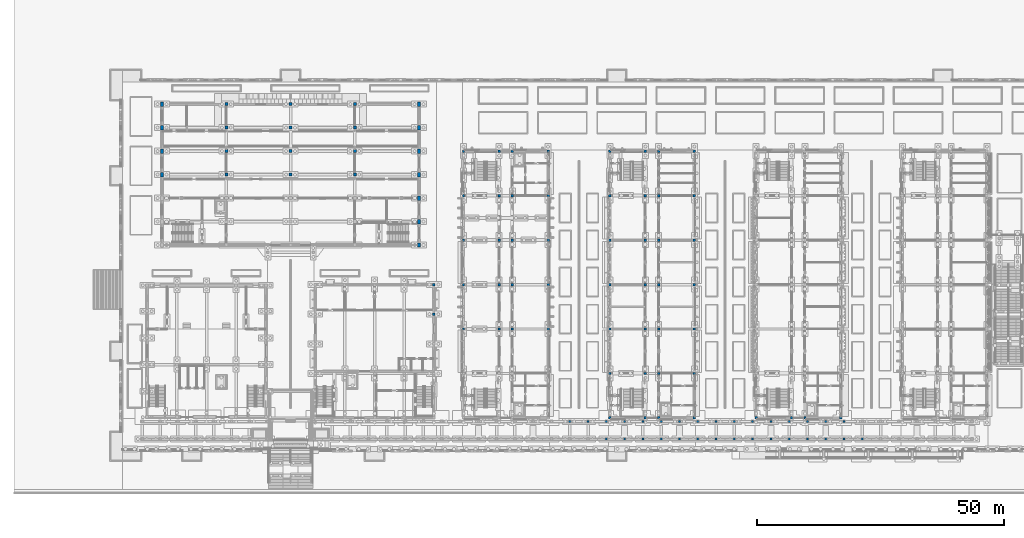
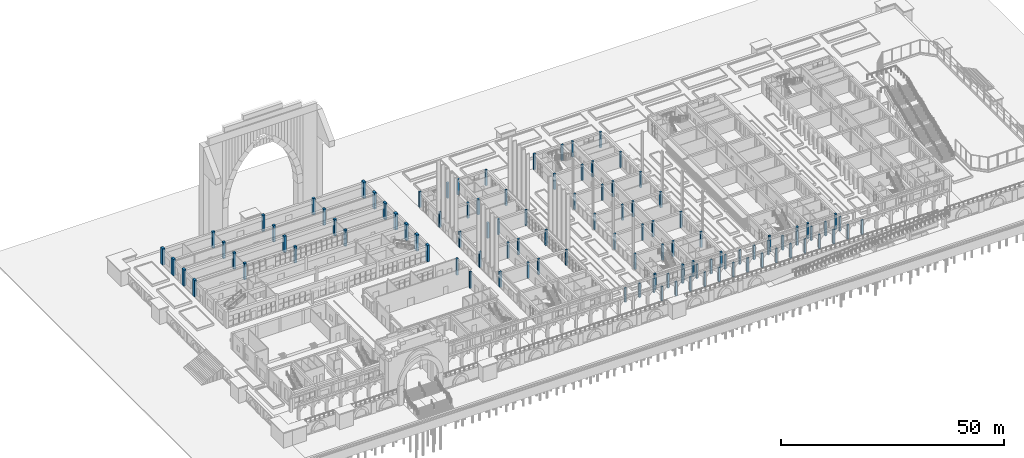
# One storey, part 8 of 161: 108 columns.
"""IFC4 building model written with IfcOpenShell, lengths in metres."""

from ifc_helpers import new_model, si_unit, direction, frame, origin, origin_2d, place, context, subcontext, project, spatial, rectangle, extrude, material, material_profile, profile_set, type_object, element, save


model = new_model("IFC4")

# Units and contexts
model_context = context("Model", 3, precision=1e-05, world=origin(), true_north=direction((0.0, 1.0)))
body_context = subcontext(model_context, "Body", "Model", "MODEL_VIEW")
ifc_project = project(units=[si_unit("LENGTHUNIT", "METRE"), si_unit("AREAUNIT", "SQUARE_METRE"), si_unit("VOLUMEUNIT", "CUBIC_METRE"), si_unit("PLANEANGLEUNIT", "RADIAN"), si_unit("MASSUNIT", "GRAM", prefix="KILO")], contexts=[model_context])

# Site, building, storey
site_placement = place(None, origin())
site = spatial("IfcSite", under=ifc_project, at=site_placement, CompositionType="ELEMENT")
building_placement = place(site_placement, origin())
building = spatial("IfcBuilding", under=site, at=building_placement, Name="Elbe Cascade School", CompositionType="ELEMENT")
storey_placement = place(building_placement, origin())
storey = spatial("IfcBuildingStorey", under=building, at=storey_placement, Name="L00", CompositionType="ELEMENT", Elevation=0.0)

# Columns
ifc_material_1 = material(Name="Concrete C30/37", Category="concrete")
ifc_material_profile_1 = material_profile(ifc_material_1, rectangle(XDim=0.5, YDim=0.5, at=origin_2d()), Name="RC 500x500")
ifc_profile_set_1 = profile_set([ifc_material_profile_1], Name="Concrete C30/37")
column_type_1 = type_object("IfcColumnType", Name="Assembly hall column RC 500x500", PredefinedType="COLUMN", material=ifc_profile_set_1)
for number, where, z_axis, x_axis, name in (
    (1, (63.0, 27.0, 0.0), (0.0, 0.0, 1.0), (1.0, 0.0, 0.0), "Assembly hall column RC 500x500 C7"),
    (2, (63.0, 33.0, 0.0), (0.0, 0.0, 1.0), (1.0, 0.0, 0.0), "Assembly hall column RC 500x500 C7"),
):
    element("IfcColumn", number, at=place(storey_placement, frame(where, z_axis=z_axis, x_axis=x_axis)), inside=storey, type_object=column_type_1, Name=name, PredefinedType="COLUMN", context=body_context, shape_type="SweptSolid", body=[
        extrude(rectangle(XDim=0.5, YDim=0.5, at=origin_2d()), origin(), (0.0, 0.0, 1.0), 4.5),
    ])
ifc_material_2 = material(Name="Concrete C35/45", Category="concrete")
ifc_material_profile_2 = material_profile(ifc_material_2, rectangle(XDim=0.449951171875, YDim=0.449951171875, at=origin_2d()), Name="RC 450x450")
ifc_profile_set_2 = profile_set([ifc_material_profile_2], Name="Concrete C35/45")
column_type_2 = type_object("IfcColumnType", Name="Colonnade column RC 450x450", PredefinedType="COLUMN", material=ifc_profile_set_2)
for number, where, z_axis, x_axis, name in (
    (3, (97.89990234375, 1.72509765625, -0.300048828125), (0.0, 0.0, 1.0), (1.0, 0.0, 0.0), "Colonnade column F25"),
    (4, (101.60009765625, 1.72509765625, -0.300048828125), (0.0, 0.0, 1.0), (1.0, 0.0, 0.0), "Colonnade column F26"),
    (5, (105.300048828125, 1.72509765625, -0.300048828125), (0.0, 0.0, 1.0), (1.0, 0.0, 0.0), "Colonnade column F27"),
    (6, (109.0, 1.72509765625, -0.300048828125), (0.0, 0.0, 1.0), (1.0, 0.0, 0.0), "Colonnade column F28"),
    (7, (112.699951171875, 1.72509765625, -0.300048828125), (0.0, 0.0, 1.0), (1.0, 0.0, 0.0), "Colonnade column F29"),
    (8, (116.39990234375, 1.72509765625, -0.300048828125), (0.0, 0.0, 1.0), (1.0, 0.0, 0.0), "Colonnade column F30"),
    (9, (120.10009765625, 1.72509765625, -0.300048828125), (0.0, 0.0, 1.0), (1.0, 0.0, 0.0), "Colonnade column F31"),
    (10, (123.800048828125, 1.72509765625, -0.300048828125), (0.0, 0.0, 1.0), (1.0, 0.0, 0.0), "Colonnade column F32"),
    (11, (127.5, 1.72509765625, -0.300048828125), (0.0, 0.0, 1.0), (1.0, 0.0, 0.0), "Colonnade column F33"),
    (12, (131.199951171875, 1.72509765625, -0.300048828125), (0.0, 0.0, 1.0), (1.0, 0.0, 0.0), "Colonnade column F34"),
    (13, (134.89990234375, 1.72509765625, -0.300048828125), (0.0, 0.0, 1.0), (1.0, 0.0, 0.0), "Colonnade column F35"),
    (14, (138.60009765625, 1.72509765625, -0.300048828125), (0.0, 0.0, 1.0), (1.0, 0.0, 0.0), "Colonnade column F36"),
    (15, (142.300048828125, 1.72509765625, -0.300048828125), (0.0, 0.0, 1.0), (1.0, 0.0, 0.0), "Colonnade column F37"),
    (16, (146.0, 1.72509765625, -0.300048828125), (0.0, 0.0, 1.0), (1.0, 0.0, 0.0), "Colonnade column F38"),
    (17, (149.699951171875, 1.72509765625, -0.300048828125), (0.0, 0.0, 1.0), (1.0, 0.0, 0.0), "Colonnade column F39"),
    (18, (90.5, 5.27490234375, -0.300048828125), (0.0, 0.0, 1.0), (1.0, 0.0, 0.0), "Colonnade column R23"),
    (19, (94.199951171875, 5.27490234375, -0.300048828125), (0.0, 0.0, 1.0), (1.0, 0.0, 0.0), "Colonnade column R24"),
    (20, (97.89990234375, 5.27490234375, -0.300048828125), (0.0, 0.0, 1.0), (1.0, 0.0, 0.0), "Colonnade column R25"),
    (21, (101.60009765625, 5.27490234375, -0.300048828125), (0.0, 0.0, 1.0), (1.0, 0.0, 0.0), "Colonnade column R26"),
    (22, (105.300048828125, 5.27490234375, -0.300048828125), (0.0, 0.0, 1.0), (1.0, 0.0, 0.0), "Colonnade column R27"),
    (23, (109.0, 5.27490234375, -0.300048828125), (0.0, 0.0, 1.0), (1.0, 0.0, 0.0), "Colonnade column R28"),
    (24, (112.699951171875, 5.27490234375, -0.300048828125), (0.0, 0.0, 1.0), (1.0, 0.0, 0.0), "Colonnade column R29"),
    (25, (116.39990234375, 5.27490234375, -0.300048828125), (0.0, 0.0, 1.0), (1.0, 0.0, 0.0), "Colonnade column R30"),
    (26, (120.10009765625, 5.27490234375, -0.300048828125), (0.0, 0.0, 1.0), (1.0, 0.0, 0.0), "Colonnade column R31"),
    (27, (123.800048828125, 5.27490234375, -0.300048828125), (0.0, 0.0, 1.0), (1.0, 0.0, 0.0), "Colonnade column R32"),
    (28, (127.5, 5.27490234375, -0.300048828125), (0.0, 0.0, 1.0), (1.0, 0.0, 0.0), "Colonnade column R33"),
    (29, (131.199951171875, 5.27490234375, -0.300048828125), (0.0, 0.0, 1.0), (1.0, 0.0, 0.0), "Colonnade column R34"),
    (30, (134.89990234375, 5.27490234375, -0.300048828125), (0.0, 0.0, 1.0), (1.0, 0.0, 0.0), "Colonnade column R35"),
    (31, (138.60009765625, 5.27490234375, -0.300048828125), (0.0, 0.0, 1.0), (1.0, 0.0, 0.0), "Colonnade column R36"),
    (32, (142.300048828125, 5.27490234375, -0.300048828125), (0.0, 0.0, 1.0), (1.0, 0.0, 0.0), "Colonnade column R37"),
    (33, (146.0, 5.27490234375, -0.300048828125), (0.0, 0.0, 1.0), (1.0, 0.0, 0.0), "Colonnade column R38"),
):
    element("IfcColumn", number, at=place(storey_placement, frame(where, z_axis=z_axis, x_axis=x_axis)), inside=storey, type_object=column_type_2, Name=name, PredefinedType="COLUMN", context=body_context, shape_type="SweptSolid", body=[
        extrude(rectangle(XDim=0.449951171875, YDim=0.449951171875, at=origin_2d()), origin(), (0.0, 0.0, 1.0), 3.949951171875),
    ])
ifc_material_3 = material(Name="Concrete C30/37", Category="concrete")
ifc_material_profile_3 = material_profile(ifc_material_3, rectangle(XDim=0.60009765625, YDim=0.60009765625, at=origin_2d()), Name="RC 600x600")
ifc_profile_set_3 = profile_set([ifc_material_profile_3], Name="Concrete C30/37")
column_type_3 = type_object("IfcColumnType", Name="Hall base column RC 600x600", PredefinedType="COLUMN", material=ifc_profile_set_3)
for number, where, z_axis, x_axis, name in (
    (34, (21.0, 55.25, 0.0), (0.0, 0.0, 1.0), (1.0, 0.0, 0.0), "Base column 21-4"),
    (35, (21.0, 60.0, 0.0), (0.0, 0.0, 1.0), (1.0, 0.0, 0.0), "Base column 21-5"),
    (36, (21.0, 64.75, 0.0), (0.0, 0.0, 1.0), (1.0, 0.0, 0.0), "Base column 21-6"),
    (37, (21.0, 69.5, 0.0), (0.0, 0.0, 1.0), (1.0, 0.0, 0.0), "Base column 21-7"),
    (38, (34.0, 55.25, 0.0), (0.0, 0.0, 1.0), (1.0, 0.0, 0.0), "Base column 34-4"),
    (39, (34.0, 60.0, 0.0), (0.0, 0.0, 1.0), (1.0, 0.0, 0.0), "Base column 34-5"),
    (40, (34.0, 64.75, 0.0), (0.0, 0.0, 1.0), (1.0, 0.0, 0.0), "Base column 34-6"),
    (41, (34.0, 69.5, 0.0), (0.0, 0.0, 1.0), (1.0, 0.0, 0.0), "Base column 34-7"),
    (42, (47.0, 55.25, 0.0), (0.0, 0.0, 1.0), (1.0, 0.0, 0.0), "Base column 47-4"),
    (43, (47.0, 60.0, 0.0), (0.0, 0.0, 1.0), (1.0, 0.0, 0.0), "Base column 47-5"),
    (44, (47.0, 64.75, 0.0), (0.0, 0.0, 1.0), (1.0, 0.0, 0.0), "Base column 47-6"),
    (45, (47.0, 69.5, 0.0), (0.0, 0.0, 1.0), (1.0, 0.0, 0.0), "Base column 47-7"),
):
    element("IfcColumn", number, at=place(storey_placement, frame(where, z_axis=z_axis, x_axis=x_axis)), inside=storey, type_object=column_type_3, Name=name, PredefinedType="COLUMN", context=body_context, shape_type="SweptSolid", body=[
        extrude(rectangle(XDim=0.60009765625, YDim=0.60009765625, at=origin_2d()), origin(), (0.0, 0.0, 1.0), 4.5),
    ])
ifc_material_4 = material(Name="Concrete C30/37", Category="concrete")
ifc_material_profile_4 = material_profile(ifc_material_4, rectangle(XDim=0.60009765625, YDim=0.89990234375, at=origin_2d()), Name="RC 600x900")
ifc_profile_set_4 = profile_set([ifc_material_profile_4], Name="Concrete C30/37")
column_type_4 = type_object("IfcColumnType", Name="Hall pilaster RC 600x900", PredefinedType="COLUMN", material=ifc_profile_set_4)
for number, where, z_axis, x_axis, name in (
    (46, (8.0, 55.25, 0.0), (0.0, 0.0, 1.0), (1.0, 0.0, 0.0), "Pilaster W4"),
    (47, (8.0, 60.0, 0.0), (0.0, 0.0, 1.0), (1.0, 0.0, 0.0), "Pilaster W5"),
    (48, (8.0, 64.75, 0.0), (0.0, 0.0, 1.0), (1.0, 0.0, 0.0), "Pilaster W6"),
    (49, (8.0, 69.5, 0.0), (0.0, 0.0, 1.0), (1.0, 0.0, 0.0), "Pilaster W7"),
    (50, (60.0, 41.0, 0.0), (0.0, 0.0, 1.0), (1.0, 0.0, 0.0), "Pilaster E1"),
    (51, (60.0, 45.75, 0.0), (0.0, 0.0, 1.0), (1.0, 0.0, 0.0), "Pilaster E2"),
    (52, (60.0, 50.5, 0.0), (0.0, 0.0, 1.0), (1.0, 0.0, 0.0), "Pilaster E3"),
    (53, (60.0, 55.25, 0.0), (0.0, 0.0, 1.0), (1.0, 0.0, 0.0), "Pilaster E4"),
    (54, (60.0, 60.0, 0.0), (0.0, 0.0, 1.0), (1.0, 0.0, 0.0), "Pilaster E5"),
    (55, (60.0, 64.75, 0.0), (0.0, 0.0, 1.0), (1.0, 0.0, 0.0), "Pilaster E6"),
    (56, (60.0, 69.5, 0.0), (0.0, 0.0, 1.0), (1.0, 0.0, 0.0), "Pilaster E7"),
):
    element("IfcColumn", number, at=place(storey_placement, frame(where, z_axis=z_axis, x_axis=x_axis)), inside=storey, type_object=column_type_4, Name=name, PredefinedType="COLUMN", context=body_context, shape_type="SweptSolid", body=[
        extrude(rectangle(XDim=0.60009765625, YDim=0.89990234375, at=origin_2d()), origin(), (0.0, 0.0, 1.0), 4.5),
    ])
ifc_material_5 = material(Name="Concrete C30/37", Category="concrete")
ifc_material_profile_5 = material_profile(ifc_material_5, rectangle(XDim=0.5, YDim=0.5, at=origin_2d()), Name="RC 500x500")
ifc_profile_set_5 = profile_set([ifc_material_profile_5], Name="Concrete C30/37")
column_type_5 = type_object("IfcColumnType", Name="RC 500x500 column", PredefinedType="COLUMN", material=ifc_profile_set_5)
for number, where, z_axis, x_axis, name in (
    (57, (69.0, 24.0, 0.0), (0.0, 0.0, 1.0), (1.0, 0.0, 0.0), "RC 500x500 column C1"),
    (58, (69.0, 33.0, 0.0), (0.0, 0.0, 1.0), (1.0, 0.0, 0.0), "RC 500x500 column C1"),
    (59, (69.0, 42.0, 0.0), (0.0, 0.0, 1.0), (1.0, 0.0, 0.0), "RC 500x500 column C1"),
    (60, (69.0, 51.0, 0.0), (0.0, 0.0, 1.0), (1.0, 0.0, 0.0), "RC 500x500 column C1"),
    (61, (69.0, 60.0, 0.0), (0.0, 0.0, 1.0), (1.0, 0.0, 0.0), "RC 500x500 column C1"),
    (62, (76.199951171875, 24.0, 0.0), (0.0, 0.0, 1.0), (1.0, 0.0, 0.0), "RC 500x500 column C1"),
    (63, (76.199951171875, 33.0, 0.0), (0.0, 0.0, 1.0), (1.0, 0.0, 0.0), "RC 500x500 column C1"),
    (64, (76.199951171875, 42.0, 0.0), (0.0, 0.0, 1.0), (1.0, 0.0, 0.0), "RC 500x500 column C1"),
    (65, (76.199951171875, 51.0, 0.0), (0.0, 0.0, 1.0), (1.0, 0.0, 0.0), "RC 500x500 column C1"),
    (66, (76.199951171875, 60.0, 0.0), (0.0, 0.0, 1.0), (1.0, 0.0, 0.0), "RC 500x500 column C1"),
    (67, (78.89990234375, 24.0, 0.0), (0.0, 0.0, 1.0), (1.0, 0.0, 0.0), "RC 500x500 column C1"),
    (68, (78.89990234375, 33.0, 0.0), (0.0, 0.0, 1.0), (1.0, 0.0, 0.0), "RC 500x500 column C1"),
    (69, (78.89990234375, 42.0, 0.0), (0.0, 0.0, 1.0), (1.0, 0.0, 0.0), "RC 500x500 column C1"),
    (70, (78.89990234375, 51.0, 0.0), (0.0, 0.0, 1.0), (1.0, 0.0, 0.0), "RC 500x500 column C1"),
    (71, (78.89990234375, 60.0, 0.0), (0.0, 0.0, 1.0), (1.0, 0.0, 0.0), "RC 500x500 column C1"),
    (72, (86.10009765625, 24.0, 0.0), (0.0, 0.0, 1.0), (1.0, 0.0, 0.0), "RC 500x500 column C1"),
    (73, (86.10009765625, 33.0, 0.0), (0.0, 0.0, 1.0), (1.0, 0.0, 0.0), "RC 500x500 column C1"),
    (74, (86.10009765625, 42.0, 0.0), (0.0, 0.0, 1.0), (1.0, 0.0, 0.0), "RC 500x500 column C1"),
    (75, (86.10009765625, 51.0, 0.0), (0.0, 0.0, 1.0), (1.0, 0.0, 0.0), "RC 500x500 column C1"),
    (76, (86.10009765625, 60.0, 0.0), (0.0, 0.0, 1.0), (1.0, 0.0, 0.0), "RC 500x500 column C1"),
    (77, (98.60009765625, 6.0, 0.0), (0.0, 0.0, 1.0), (1.0, 0.0, 0.0), "RC 500x500 column C1"),
    (78, (98.60009765625, 15.0, 0.0), (0.0, 0.0, 1.0), (1.0, 0.0, 0.0), "RC 500x500 column C1"),
    (79, (98.60009765625, 24.0, 0.0), (0.0, 0.0, 1.0), (1.0, 0.0, 0.0), "RC 500x500 column C1"),
    (80, (98.60009765625, 33.0, 0.0), (0.0, 0.0, 1.0), (1.0, 0.0, 0.0), "RC 500x500 column C1"),
    (81, (98.60009765625, 42.0, 0.0), (0.0, 0.0, 1.0), (1.0, 0.0, 0.0), "RC 500x500 column C1"),
    (82, (98.60009765625, 51.0, 0.0), (0.0, 0.0, 1.0), (1.0, 0.0, 0.0), "RC 500x500 column C1"),
    (83, (98.60009765625, 60.0, 0.0), (0.0, 0.0, 1.0), (1.0, 0.0, 0.0), "RC 500x500 column C1"),
    (84, (105.800048828125, 6.0, 0.0), (0.0, 0.0, 1.0), (1.0, 0.0, 0.0), "RC 500x500 column C1"),
    (85, (105.800048828125, 15.0, 0.0), (0.0, 0.0, 1.0), (1.0, 0.0, 0.0), "RC 500x500 column C1"),
    (86, (105.800048828125, 24.0, 0.0), (0.0, 0.0, 1.0), (1.0, 0.0, 0.0), "RC 500x500 column C1"),
    (87, (105.800048828125, 33.0, 0.0), (0.0, 0.0, 1.0), (1.0, 0.0, 0.0), "RC 500x500 column C1"),
    (88, (105.800048828125, 42.0, 0.0), (0.0, 0.0, 1.0), (1.0, 0.0, 0.0), "RC 500x500 column C1"),
    (89, (105.800048828125, 51.0, 0.0), (0.0, 0.0, 1.0), (1.0, 0.0, 0.0), "RC 500x500 column C1"),
    (90, (105.800048828125, 60.0, 0.0), (0.0, 0.0, 1.0), (1.0, 0.0, 0.0), "RC 500x500 column C1"),
    (91, (108.5, 6.0, 0.0), (0.0, 0.0, 1.0), (1.0, 0.0, 0.0), "RC 500x500 column C1"),
    (92, (108.5, 15.0, 0.0), (0.0, 0.0, 1.0), (1.0, 0.0, 0.0), "RC 500x500 column C1"),
    (93, (108.5, 24.0, 0.0), (0.0, 0.0, 1.0), (1.0, 0.0, 0.0), "RC 500x500 column C1"),
    (94, (108.5, 33.0, 0.0), (0.0, 0.0, 1.0), (1.0, 0.0, 0.0), "RC 500x500 column C1"),
    (95, (108.5, 42.0, 0.0), (0.0, 0.0, 1.0), (1.0, 0.0, 0.0), "RC 500x500 column C1"),
    (96, (108.5, 51.0, 0.0), (0.0, 0.0, 1.0), (1.0, 0.0, 0.0), "RC 500x500 column C1"),
    (97, (108.5, 60.0, 0.0), (0.0, 0.0, 1.0), (1.0, 0.0, 0.0), "RC 500x500 column C1"),
    (98, (115.699951171875, 6.0, 0.0), (0.0, 0.0, 1.0), (1.0, 0.0, 0.0), "RC 500x500 column C1"),
    (99, (115.699951171875, 15.0, 0.0), (0.0, 0.0, 1.0), (1.0, 0.0, 0.0), "RC 500x500 column C1"),
    (100, (115.699951171875, 24.0, 0.0), (0.0, 0.0, 1.0), (1.0, 0.0, 0.0), "RC 500x500 column C1"),
    (101, (115.699951171875, 33.0, 0.0), (0.0, 0.0, 1.0), (1.0, 0.0, 0.0), "RC 500x500 column C1"),
    (102, (115.699951171875, 42.0, 0.0), (0.0, 0.0, 1.0), (1.0, 0.0, 0.0), "RC 500x500 column C1"),
    (103, (115.699951171875, 51.0, 0.0), (0.0, 0.0, 1.0), (1.0, 0.0, 0.0), "RC 500x500 column C1"),
    (104, (115.699951171875, 60.0, 0.0), (0.0, 0.0, 1.0), (1.0, 0.0, 0.0), "RC 500x500 column C1"),
    (105, (128.199951171875, 6.0, 0.0), (0.0, 0.0, 1.0), (1.0, 0.0, 0.0), "RC 500x500 column C1"),
    (106, (135.39990234375, 6.0, 0.0), (0.0, 0.0, 1.0), (1.0, 0.0, 0.0), "RC 500x500 column C1"),
    (107, (138.10009765625, 6.0, 0.0), (0.0, 0.0, 1.0), (1.0, 0.0, 0.0), "RC 500x500 column C1"),
    (108, (145.300048828125, 6.0, 0.0), (0.0, 0.0, 1.0), (1.0, 0.0, 0.0), "RC 500x500 column C1"),
):
    element("IfcColumn", number, at=place(storey_placement, frame(where, z_axis=z_axis, x_axis=x_axis)), inside=storey, type_object=column_type_5, Name=name, PredefinedType="COLUMN", context=body_context, shape_type="SweptSolid", body=[
        extrude(rectangle(XDim=0.5, YDim=0.5, at=origin_2d()), origin(), (0.0, 0.0, 1.0), 4.25),
    ])

save(model, "model.ifc")
